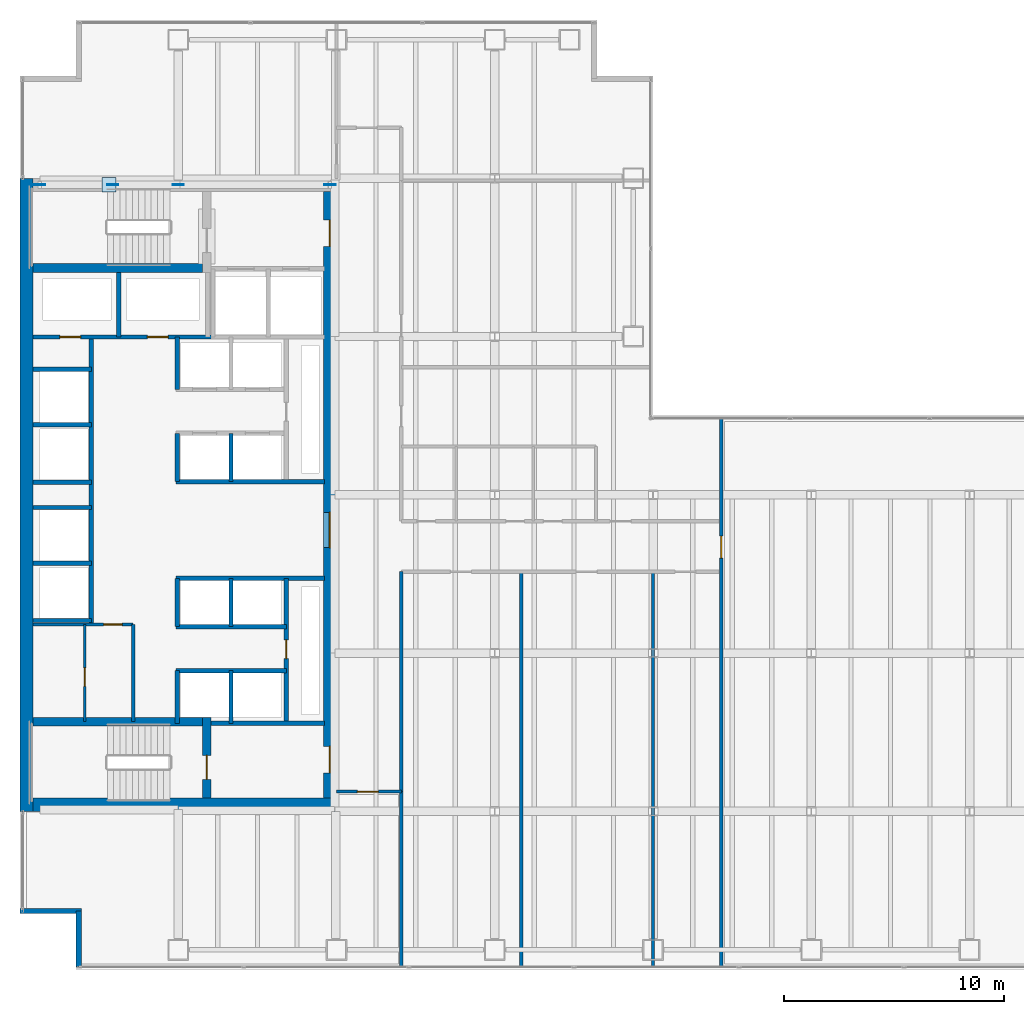
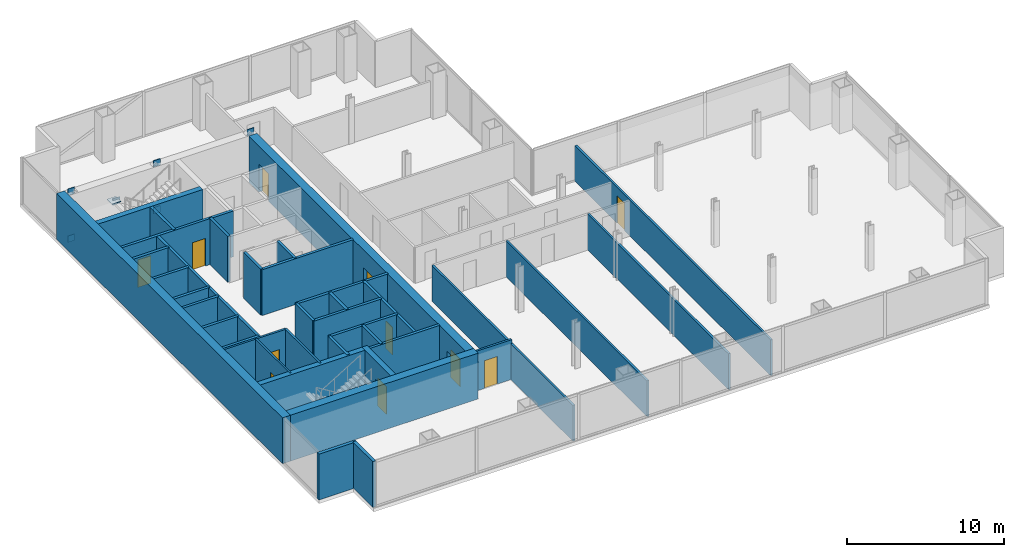
# One storey, part 20 of 24: 39 walls, 11 doors, 7 plates, 11 openings.
"""IFC4 building model written with IfcOpenShell, lengths in metres."""

from ifc_helpers import new_model, si_unit, direction, frame, frame_2d, origin, origin_2d, place, context, subcontext, project, spatial, rectangle, extrude, material, layer, layer_set, type_object, element, fill, save


model = new_model("IFC4")

# Units and contexts
model_context = context("Model", 3, precision=1e-05, world=origin(), true_north=direction((0.0, 1.0)))
body_context = subcontext(model_context, "Body", "Model", "MODEL_VIEW")
ifc_project = project(units=[si_unit("LENGTHUNIT", "METRE"), si_unit("AREAUNIT", "SQUARE_METRE"), si_unit("VOLUMEUNIT", "CUBIC_METRE"), si_unit("PLANEANGLEUNIT", "RADIAN"), si_unit("MASSUNIT", "GRAM", prefix="KILO")], contexts=[model_context])

# Site, building, storey
site_placement = place(None, origin())
site = spatial("IfcSite", under=ifc_project, at=site_placement, CompositionType="ELEMENT")
building_placement = place(site_placement, origin())
building = spatial("IfcBuilding", under=site, at=building_placement, Name="Cobrela Telecom Tower", CompositionType="ELEMENT")
storey_placement = place(building_placement, frame((0.0, 0.0, 77.35009765625)))
storey = spatial("IfcBuildingStorey", under=building, at=storey_placement, Name="L19", CompositionType="ELEMENT", Elevation=77.35009765625)

# Plates
ifc_material_1 = material(Name="Steel ASTM A572 Grade 50", Category="steel")
ifc_layer_1 = layer(ifc_material_1, 0.0419921875)
ifc_layer_set_1 = layer_set([ifc_layer_1], Name="Steel ASTM A572 Grade 50")
plate_type = type_object("IfcPlateType", Name="PLT-NODE-ND1", PredefinedType="USERDEFINED", material=ifc_layer_set_1)
for number, where, z_axis, x_axis, name in (
    (1, (0.89990234375, 35.699951171875, -0.294921875), (0.0, 0.0, 1.0), (1.0, 0.0, 0.0), "Steel node plate PLT-MBR-EXO-L19-N1-A-0"),
    (2, (7.199951171875, 35.699951171875, 3.35498046875), (0.0, 0.0, 1.0), (1.0, 0.0, 0.0), "Steel node plate PLT-MBR-EXO-L19-N1-A-1"),
    (3, (7.199951171875, 35.699951171875, -0.294921875), (0.0, 0.0, 1.0), (-1.0, 0.0, 0.0), "Steel node plate PLT-MBR-EXO-L19-N1-B1-0"),
    (4, (4.219482421875, 35.699951171875, 1.431640625), (0.0, 0.0, 1.0), (-1.0, 0.0, 0.0), "Steel node plate PLT-MBR-EXO-L19-N1-B1-1"),
    (5, (0.89990234375, 35.699951171875, 3.35498046875), (0.0, 0.0, 1.0), (-1.0, 0.0, 0.0), "Steel node plate PLT-MBR-EXO-L19-N1-B2-1"),
):
    element("IfcPlate", number, at=place(storey_placement, frame(where, z_axis=z_axis, x_axis=x_axis)), inside=storey, type_object=plate_type, Name=name, ObjectType="GUSSET PLATE", PredefinedType="USERDEFINED", context=body_context, shape_type="SweptSolid", body=[
        extrude(rectangle(XDim=0.510009765625, YDim=0.044921875, at=origin_2d()), origin(), (0.0, 0.0, 1.0), 0.510009765625),
    ])
plate_1_placement = place(storey_placement, frame((4.050048828125, 35.699951171875, 1.762451171875), z_axis=(0.0, 0.0, 1.0), x_axis=(1.0, 0.0, 0.0)))
element("IfcPlate", 6, at=plate_1_placement, inside=storey, type_object=plate_type, Name="L19 Core Flange Steel X-Brace Central X-Crossing Gusset Plate", ObjectType="GUSSET PLATE", PredefinedType="USERDEFINED", context=body_context, shape_type="SweptSolid", body=[
    extrude(rectangle(XDim=0.64990234375, YDim=0.64990234375, at=origin_2d()), origin(), (0.0, 0.0, 1.0), 0.044921875),
])
plate_2_placement = place(storey_placement, frame((14.10009765625, 35.699951171875, 3.35498046875), z_axis=(0.0, 0.0, 1.0), x_axis=(1.0, 0.0, 0.0)))
element("IfcPlate", 7, at=plate_2_placement, inside=storey, type_object=plate_type, Name="Steel node plate PLT-MBR-EXO-L19-N2-1", ObjectType="GUSSET PLATE", PredefinedType="USERDEFINED", context=body_context, shape_type="SweptSolid", body=[
    extrude(rectangle(XDim=0.510009765625, YDim=0.044921875, at=origin_2d()), origin(), (0.0, 0.0, 1.0), 0.510009765625),
])

# Walls
ifc_material_2 = material(Name="Concrete C50/60", Category="concrete")
ifc_layer_2 = layer(ifc_material_2, 0.60009765625)
ifc_layer_set_2 = layer_set([ifc_layer_2], Name="Concrete C50/60")
wall_type_1 = type_object("IfcWallType", Name="WALL-CORE-C50-600", PredefinedType="SHEAR", material=ifc_layer_set_2)
wall_1_placement = place(storey_placement, frame((0.300048828125, 7.199951171875, 0.0), z_axis=(0.0, 0.0, 1.0), x_axis=(0.0, 1.0, 0.0)))
element("IfcWall", 8, at=wall_1_placement, inside=storey, type_object=wall_type_1, Name="L19 West Core Shear Wall", PredefinedType="SHEAR", context=body_context, shape_type="SweptSolid", body=[
    extrude(rectangle(XDim=28.800048828125, YDim=0.60009765625, at=frame_2d((14.39990234375, 0.0))), origin(), (0.0, 0.0, 1.0), 3.56982421875),
])
wall_2_placement = place(storey_placement, frame((0.60009765625, 7.5, 0.0), z_axis=(0.0, 0.0, 1.0), x_axis=(1.0, 0.0, 0.0)))
element("IfcWall", 9, at=wall_2_placement, inside=storey, type_object=wall_type_1, Name="L19 South Core Shear Wall", PredefinedType="SHEAR", context=body_context, shape_type="SweptSolid", body=[
    extrude(rectangle(XDim=13.7998046875, YDim=0.60009765625, at=frame_2d((6.89990234375, 0.0))), origin(), (0.0, 0.0, 1.0), 3.56982421875),
])

# Wall, openings, doors
wall_3_placement = place(storey_placement, frame((14.10009765625, 35.39990234375, 0.0), z_axis=(0.0, 0.0, 1.0), x_axis=(0.0, -1.0, 0.0)))
wall_3 = element("IfcWall", 10, at=wall_3_placement, inside=storey, type_object=wall_type_1, Name="L19 East Core Shear Wall", PredefinedType="SHEAR", context=body_context, shape_type="SweptSolid", body=[
    extrude(rectangle(XDim=27.599853515625, YDim=0.60009765625, at=frame_2d((13.7998046875, 0.0))), origin(), (0.0, 0.0, 1.0), 3.56982421875),
])
opening_1_placement = place(wall_3_placement, frame((1.300048828125, 0.0, 0.0)))
opening_1 = element("IfcOpeningElement", 11, at=opening_1_placement, cuts=wall_3, Name="Opening DR-19", PredefinedType="OPENING", context=body_context, shape_type="SweptSolid", body=[
    extrude(rectangle(XDim=1.199951171875, YDim=2.14990234375, at=frame_2d((0.60009765625, 1.074951171875))), frame((0.0, 0.31201171875, 0.0), z_axis=(0.0, -1.0, 0.0), x_axis=(1.0, 0.0, 0.0)), (0.0, 0.0, 1.0), 0.6240234375),
])
opening_2_placement = place(wall_3_placement, frame((25.25, 0.0, 0.0)))
opening_2 = element("IfcOpeningElement", 12, at=opening_2_placement, cuts=wall_3, Name="Opening DR-19", PredefinedType="OPENING", context=body_context, shape_type="SweptSolid", body=[
    extrude(rectangle(XDim=1.199951171875, YDim=2.14990234375, at=frame_2d((0.60009765625, 1.074951171875))), frame((0.0, 0.31201171875, 0.0), z_axis=(0.0, -1.0, 0.0), x_axis=(1.0, 0.0, 0.0)), (0.0, 0.0, 1.0), 0.6240234375),
])
opening_3_placement = place(wall_3_placement, frame((14.60009765625, 0.0, 0.0)))
opening_3 = element("IfcOpeningElement", 13, at=opening_3_placement, cuts=wall_3, Name="Opening DR-51", PredefinedType="OPENING", context=body_context, shape_type="SweptSolid", body=[
    extrude(rectangle(XDim=1.60009765625, YDim=2.199951171875, at=frame_2d((0.800048828125, 1.10009765625))), frame((0.0, 0.31201171875, 0.0), z_axis=(0.0, -1.0, 0.0), x_axis=(1.0, 0.0, 0.0)), (0.0, 0.0, 1.0), 0.6240234375),
])
ifc_material_3 = material(Name="Steel ASTM A36", Category="steel")
door_type_1 = type_object("IfcDoorType", Name="DOOR-FD60-1200", OperationType="SINGLE_SWING_LEFT", PredefinedType="DOOR", material=ifc_material_3)
door_1_placement = place(opening_1_placement, origin())
door_1 = element("IfcDoor", 14, at=door_1_placement, inside=storey, type_object=door_type_1, Name="L19 Door DR-19", OperationType="SINGLE_SWING_LEFT", OverallHeight=2.14990234375, OverallWidth=1.199951171875, PredefinedType="DOOR", context=body_context, shape_type="SweptSolid", body=[
    extrude(rectangle(XDim=1.199951171875, YDim=2.14990234375, at=frame_2d((0.60009765625, 1.074951171875))), frame((0.0, 0.02490234375, 0.0), z_axis=(0.0, -1.0, 0.0), x_axis=(1.0, 0.0, 0.0)), (0.0, 0.0, 1.0), 0.050048828125),
])
fill(opening_1, door_1)
door_2_placement = place(opening_2_placement, origin())
door_2 = element("IfcDoor", 15, at=door_2_placement, inside=storey, type_object=door_type_1, Name="L19 Door DR-19", OperationType="SINGLE_SWING_RIGHT", OverallHeight=2.14990234375, OverallWidth=1.199951171875, PredefinedType="DOOR", context=body_context, shape_type="SweptSolid", body=[
    extrude(rectangle(XDim=1.199951171875, YDim=2.14990234375, at=frame_2d((0.60009765625, 1.074951171875))), frame((0.0, 0.02490234375, 0.0), z_axis=(0.0, -1.0, 0.0), x_axis=(1.0, 0.0, 0.0)), (0.0, 0.0, 1.0), 0.050048828125),
])
fill(opening_2, door_2)
door_type_2 = type_object("IfcDoorType", Name="DOOR-FD60-1600", OperationType="SINGLE_SWING_LEFT", PredefinedType="DOOR", material=ifc_material_3)
door_3_placement = place(opening_3_placement, origin())
door_3 = element("IfcDoor", 16, at=door_3_placement, inside=storey, type_object=door_type_2, Name="L19 Door DR-51", OperationType="DOUBLE_DOOR_SINGLE_SWING", OverallHeight=2.199951171875, OverallWidth=1.60009765625, PredefinedType="DOOR", context=body_context, shape_type="SweptSolid", body=[
    extrude(rectangle(XDim=1.60009765625, YDim=2.199951171875, at=frame_2d((0.800048828125, 1.10009765625))), frame((0.0, 0.02490234375, 0.0), z_axis=(0.0, -1.0, 0.0), x_axis=(1.0, 0.0, 0.0)), (0.0, 0.0, 1.0), 0.050048828125),
])
fill(opening_3, door_3)

# Walls
ifc_material_4 = material(Name="Concrete C40/50", Category="concrete")
ifc_layer_3 = layer(ifc_material_4, 0.239990234375)
ifc_layer_set_3 = layer_set([ifc_layer_3], Name="Concrete C40/50")
wall_type_2 = type_object("IfcWallType", Name="WALL-EXT-300", PredefinedType="STANDARD", material=ifc_layer_set_3)
wall_4_placement = place(storey_placement, frame((2.669921875, 0.1201171875, 0.0), z_axis=(0.0, 0.0, 1.0), x_axis=(0.0, 1.0, 0.0)))
element("IfcWall", 17, at=wall_4_placement, inside=storey, type_object=wall_type_2, Name="L19 Insulated Facade Wall 01", PredefinedType="STANDARD", context=body_context, shape_type="SweptSolid", body=[
    extrude(rectangle(XDim=2.5498046875, YDim=0.239990234375, at=frame_2d((1.27490234375, 0.0))), origin(), (0.0, 0.0, 1.0), 3.56982421875),
])
wall_5_placement = place(storey_placement, frame((2.7900390625, 2.669921875, 0.0), z_axis=(0.0, 0.0, 1.0), x_axis=(-1.0, 0.0, 0.0)))
element("IfcWall", 18, at=wall_5_placement, inside=storey, type_object=wall_type_2, Name="L19 Insulated Facade Wall 02", PredefinedType="STANDARD", context=body_context, shape_type="SweptSolid", body=[
    extrude(rectangle(XDim=2.7900390625, YDim=0.239990234375, at=frame_2d((1.39501953125, 0.0))), origin(), (0.0, 0.0, 1.0), 3.56982421875),
])

# Wall, opening, door
ifc_material_5 = material(Name="Fire-Rated Gypsum Plasterboard")
ifc_layer_4 = layer(ifc_material_5, 0.125)
ifc_layer_set_4 = layer_set([ifc_layer_4], Name="Fire-Rated Gypsum Plasterboard")
wall_type_3 = type_object("IfcWallType", Name="WALL-PART-125", PredefinedType="PARTITIONING", material=ifc_layer_set_4)
wall_6_placement = place(storey_placement, frame((2.949951171875, 11.280029296875, 0.0), z_axis=(0.0, 0.0, 1.0), x_axis=(0.0, 1.0, 0.0)))
wall_6 = element("IfcWall", 19, at=wall_6_placement, inside=storey, type_object=wall_type_3, Name="L19 Interior Partition CW-FK1-V", PredefinedType="PARTITIONING", context=body_context, shape_type="SweptSolid", body=[
    extrude(rectangle(XDim=4.419921875, YDim=0.125, at=frame_2d((2.2099609375, 0.0))), origin(), (0.0, 0.0, 1.0), 3.56982421875),
])
opening_4_placement = place(wall_6_placement, frame((1.60009765625, 0.0, 0.0)))
opening_4 = element("IfcOpeningElement", 20, at=opening_4_placement, cuts=wall_6, Name="Opening DR-11", PredefinedType="OPENING", context=body_context, shape_type="SweptSolid", body=[
    extrude(rectangle(XDim=0.85009765625, YDim=2.14990234375, at=frame_2d((0.425048828125, 1.074951171875))), frame((0.0, 0.074462890625, 0.0), z_axis=(0.0, -1.0, 0.0), x_axis=(1.0, 0.0, 0.0)), (0.0, 0.0, 1.0), 0.14892578125),
])
ifc_material_6 = material(Name="Solid Engineered Oak Timber", Category="wood")
door_type_3 = type_object("IfcDoorType", Name="DOOR-INT-850", OperationType="SINGLE_SWING_LEFT", PredefinedType="DOOR", material=ifc_material_6)
door_4_placement = place(opening_4_placement, origin())
door_4 = element("IfcDoor", 21, at=door_4_placement, inside=storey, type_object=door_type_3, Name="L19 Door DR-11", OperationType="SINGLE_SWING_RIGHT", OverallHeight=2.14990234375, OverallWidth=0.85009765625, PredefinedType="DOOR", context=body_context, shape_type="SweptSolid", body=[
    extrude(rectangle(XDim=0.85009765625, YDim=2.14990234375, at=frame_2d((0.425048828125, 1.074951171875))), frame((0.0, 0.02490234375, 0.0), z_axis=(0.0, -1.0, 0.0), x_axis=(1.0, 0.0, 0.0)), (0.0, 0.0, 1.0), 0.050048828125),
])
fill(opening_4, door_4)

ifc_layer_5 = layer(ifc_material_5, 0.14990234375)
ifc_layer_set_5 = layer_set([ifc_layer_5], Name="Fire-Rated Gypsum Plasterboard")
wall_type_4 = type_object("IfcWallType", Name="WALL-PART-150", PredefinedType="PARTITIONING", material=ifc_layer_set_5)
wall_7_placement = place(storey_placement, frame((0.60009765625, 15.699951171875, 0.0), z_axis=(0.0, 0.0, 1.0), x_axis=(1.0, 0.0, 0.0)))
wall_7 = element("IfcWall", 22, at=wall_7_placement, inside=storey, type_object=wall_type_4, Name="L19 Interior Partition CW-FLEX-N", PredefinedType="PARTITIONING", context=body_context, shape_type="SweptSolid", body=[
    extrude(rectangle(XDim=4.5498046875, YDim=0.14990234375, at=frame_2d((2.27490234375, 0.0))), origin(), (0.0, 0.0, 1.0), 3.56982421875),
])
opening_5_placement = place(wall_7_placement, frame((3.199951171875, 0.0, 0.0)))
opening_5 = element("IfcOpeningElement", 23, at=opening_5_placement, cuts=wall_7, Name="Opening DR-11", PredefinedType="OPENING", context=body_context, shape_type="SweptSolid", body=[
    extrude(rectangle(XDim=0.85009765625, YDim=2.14990234375, at=frame_2d((0.425048828125, 1.074951171875))), frame((0.0, 0.0869140625, 0.0), z_axis=(0.0, -1.0, 0.0), x_axis=(1.0, 0.0, 0.0)), (0.0, 0.0, 1.0), 0.173828125),
])
door_5_placement = place(opening_5_placement, origin())
door_5 = element("IfcDoor", 24, at=door_5_placement, inside=storey, type_object=door_type_3, Name="L19 Door DR-11", OperationType="SINGLE_SWING_LEFT", OverallHeight=2.14990234375, OverallWidth=0.85009765625, PredefinedType="DOOR", context=body_context, shape_type="SweptSolid", body=[
    extrude(rectangle(XDim=0.85009765625, YDim=2.14990234375, at=frame_2d((0.425048828125, 1.074951171875))), frame((0.0, 0.02490234375, 0.0), z_axis=(0.0, -1.0, 0.0), x_axis=(1.0, 0.0, 0.0)), (0.0, 0.0, 1.0), 0.050048828125),
])
fill(opening_5, door_5)

# Wall
wall_8_placement = place(storey_placement, frame((5.14990234375, 11.280029296875, 0.0), z_axis=(0.0, 0.0, 1.0), x_axis=(0.0, 1.0, 0.0)))
element("IfcWall", 25, at=wall_8_placement, inside=storey, type_object=wall_type_4, Name="L19 Interior Partition CW-FLEX-E", PredefinedType="PARTITIONING", context=body_context, shape_type="SweptSolid", body=[
    extrude(rectangle(XDim=4.419921875, YDim=0.14990234375, at=frame_2d((2.2099609375, 0.0))), origin(), (0.0, 0.0, 1.0), 3.56982421875),
])

# Wall, opening, door
wall_9_placement = place(storey_placement, frame((14.39990234375, 8.10009765625, 0.0), z_axis=(0.0, 0.0, 1.0), x_axis=(1.0, 0.0, 0.0)))
wall_9 = element("IfcWall", 26, at=wall_9_placement, inside=storey, type_object=wall_type_4, Name="L19 Interior Partition W-C-S0", PredefinedType="PARTITIONING", context=body_context, shape_type="SweptSolid", body=[
    extrude(rectangle(XDim=2.9501953125, YDim=0.14990234375, at=frame_2d((1.47509765625, 0.0))), origin(), (0.0, 0.0, 1.0), 3.087890625),
])
opening_6_placement = place(wall_9_placement, frame((0.949951171875, 0.0, 0.0)))
opening_6 = element("IfcOpeningElement", 27, at=opening_6_placement, cuts=wall_9, Name="Opening DR-67", PredefinedType="OPENING", context=body_context, shape_type="SweptSolid", body=[
    extrude(rectangle(XDim=0.949951171875, YDim=2.14990234375, at=frame_2d((0.47509765625, 1.074951171875))), frame((0.0, 0.0869140625, 0.0), z_axis=(0.0, -1.0, 0.0), x_axis=(1.0, 0.0, 0.0)), (0.0, 0.0, 1.0), 0.173828125),
])
door_type_4 = type_object("IfcDoorType", Name="DOOR-INT-950", OperationType="SINGLE_SWING_LEFT", PredefinedType="DOOR", material=ifc_material_6)
door_6_placement = place(opening_6_placement, origin())
door_6 = element("IfcDoor", 28, at=door_6_placement, inside=storey, type_object=door_type_4, Name="L19 Door DR-67", OperationType="SINGLE_SWING_RIGHT", OverallHeight=2.14990234375, OverallWidth=0.949951171875, PredefinedType="DOOR", context=body_context, shape_type="SweptSolid", body=[
    extrude(rectangle(XDim=0.949951171875, YDim=2.14990234375, at=frame_2d((0.47509765625, 1.074951171875))), frame((0.0, 0.02490234375, 0.0), z_axis=(0.0, -1.0, 0.0), x_axis=(1.0, 0.0, 0.0)), (0.0, 0.0, 1.0), 0.050048828125),
])
fill(opening_6, door_6)

# Wall
wall_10_placement = place(storey_placement, frame((17.35009765625, 8.10009765625, 0.0), z_axis=(0.0, 0.0, 1.0), x_axis=(0.0, 1.0, 0.0)))
element("IfcWall", 29, at=wall_10_placement, inside=storey, type_object=wall_type_4, Name="L19 Interior Partition W-C-E1", PredefinedType="PARTITIONING", context=body_context, shape_type="SweptSolid", body=[
    extrude(rectangle(XDim=10.0, YDim=0.14990234375, at=frame_2d((5.0, 0.0))), origin(), (0.0, 0.0, 1.0), 2.782958984375),
])

# Wall, opening, door
wall_11_placement = place(storey_placement, frame((31.89990234375, 0.1201171875, 0.0), z_axis=(0.0, 0.0, 1.0), x_axis=(0.0, 1.0, 0.0)))
wall_11 = element("IfcWall", 30, at=wall_11_placement, inside=storey, type_object=wall_type_4, Name="L19 Interior Partition W-C-END", PredefinedType="PARTITIONING", context=body_context, shape_type="SweptSolid", body=[
    extrude(rectangle(XDim=24.9599609375, YDim=0.14990234375, at=frame_2d((12.47998046875, 0.0))), origin(), (0.0, 0.0, 1.0), 2.782958984375),
])
opening_7_placement = place(wall_11_placement, frame((18.60009765625, 0.0, 0.0)))
opening_7 = element("IfcOpeningElement", 31, at=opening_7_placement, cuts=wall_11, Name="Opening DR-31", PredefinedType="OPENING", context=body_context, shape_type="SweptSolid", body=[
    extrude(rectangle(XDim=1.0, YDim=2.14990234375, at=frame_2d((0.5, 1.074951171875))), frame((0.0, 0.0869140625, 0.0), z_axis=(0.0, -1.0, 0.0), x_axis=(1.0, 0.0, 0.0)), (0.0, 0.0, 1.0), 0.173828125),
])
door_type_5 = type_object("IfcDoorType", Name="DOOR-INT-1000", OperationType="SINGLE_SWING_LEFT", PredefinedType="DOOR", material=ifc_material_6)
door_7_placement = place(opening_7_placement, origin())
door_7 = element("IfcDoor", 32, at=door_7_placement, inside=storey, type_object=door_type_5, Name="L19 Door DR-31", OperationType="SINGLE_SWING_LEFT", OverallHeight=2.14990234375, OverallWidth=1.0, PredefinedType="DOOR", context=body_context, shape_type="SweptSolid", body=[
    extrude(rectangle(XDim=1.0, YDim=2.14990234375, at=frame_2d((0.5, 1.074951171875))), frame((0.0, 0.02490234375, 0.0), z_axis=(0.0, -1.0, 0.0), x_axis=(1.0, 0.0, 0.0)), (0.0, 0.0, 1.0), 0.050048828125),
])
fill(opening_7, door_7)

# Walls
wall_12_placement = place(storey_placement, frame((17.35009765625, 0.1201171875, 0.0), z_axis=(0.0, 0.0, 1.0), x_axis=(0.0, 1.0, 0.0)))
element("IfcWall", 33, at=wall_12_placement, inside=storey, type_object=wall_type_4, Name="L19 Interior Partition W-SW-E", PredefinedType="PARTITIONING", context=body_context, shape_type="SweptSolid", body=[
    extrude(rectangle(XDim=7.97998046875, YDim=0.14990234375, at=frame_2d((3.989990234375, 0.0))), origin(), (0.0, 0.0, 1.0), 2.782958984375),
])
for number, where, z_axis, x_axis, name in (
    (34, (22.800048828125, 0.1201171875, 0.0), (0.0, 0.0, 1.0), (0.0, 1.0, 0.0), "L19 Interior Partition W-SV-1"),
    (35, (28.800048828125, 0.1201171875, 0.0), (0.0, 0.0, 1.0), (0.0, 1.0, 0.0), "L19 Interior Partition W-SV-2"),
):
    element("IfcWall", number, at=place(storey_placement, frame(where, z_axis=z_axis, x_axis=x_axis)), inside=storey, type_object=wall_type_4, Name=name, PredefinedType="PARTITIONING", context=body_context, shape_type="SweptSolid", body=[
        extrude(rectangle(XDim=17.97998046875, YDim=0.14990234375, at=frame_2d((8.989990234375, 0.0))), origin(), (0.0, 0.0, 1.0), 2.782958984375),
    ])
ifc_layer_6 = layer(ifc_material_5, 0.199951171875)
ifc_layer_set_6 = layer_set([ifc_layer_6], Name="Fire-Rated Gypsum Plasterboard")
wall_type_5 = type_object("IfcWallType", Name="WALL-SHAFT-200", PredefinedType="PARTITIONING", material=ifc_layer_set_6)
wall_13_placement = place(storey_placement, frame((8.699951171875, 11.199951171875, 0.0), z_axis=(0.0, 0.0, 1.0), x_axis=(1.0, 0.0, 0.0)))
element("IfcWall", 36, at=wall_13_placement, inside=storey, type_object=wall_type_5, Name="L19 Shaft Enclosure CW-ST2L-N", PredefinedType="PARTITIONING", context=body_context, shape_type="SweptSolid", body=[
    extrude(rectangle(XDim=5.150146484375, YDim=0.199951171875, at=frame_2d((2.5751953125, 0.0))), origin(), (0.0, 0.0, 1.0), 3.56982421875),
])

# Wall, openings, doors
wall_14_placement = place(storey_placement, frame((0.60009765625, 28.780029296875, 0.0), z_axis=(0.0, 0.0, 1.0), x_axis=(1.0, 0.0, 0.0)))
wall_14 = element("IfcWall", 37, at=wall_14_placement, inside=storey, type_object=wall_type_5, Name="L19 Shaft Enclosure CW-RIS-S", PredefinedType="PARTITIONING", context=body_context, shape_type="SweptSolid", body=[
    extrude(rectangle(XDim=8.179931640625, YDim=0.199951171875, at=frame_2d((4.08984375, 0.0))), origin(), (0.0, 0.0, 1.0), 3.56982421875),
])
opening_8_placement = place(wall_14_placement, frame((1.2099609375, 0.0, 0.0)))
opening_8 = element("IfcOpeningElement", 38, at=opening_8_placement, cuts=wall_14, Name="Opening DR-65", PredefinedType="OPENING", context=body_context, shape_type="SweptSolid", body=[
    extrude(rectangle(XDim=0.949951171875, YDim=2.14990234375, at=frame_2d((0.47509765625, 1.074951171875))), frame((0.0, 0.11181640625, 0.0), z_axis=(0.0, -1.0, 0.0), x_axis=(1.0, 0.0, 0.0)), (0.0, 0.0, 1.0), 0.223876953125),
])
opening_9_placement = place(wall_14_placement, frame((5.18994140625, 0.0, 0.0)))
opening_9 = element("IfcOpeningElement", 39, at=opening_9_placement, cuts=wall_14, Name="Opening DR-65", PredefinedType="OPENING", context=body_context, shape_type="SweptSolid", body=[
    extrude(rectangle(XDim=0.949951171875, YDim=2.14990234375, at=frame_2d((0.47509765625, 1.074951171875))), frame((0.0, 0.11181640625, 0.0), z_axis=(0.0, -1.0, 0.0), x_axis=(1.0, 0.0, 0.0)), (0.0, 0.0, 1.0), 0.223876953125),
])
door_type_6 = type_object("IfcDoorType", Name="DOOR-FD60-950", OperationType="SINGLE_SWING_LEFT", PredefinedType="DOOR", material=ifc_material_3)
door_8_placement = place(opening_8_placement, origin())
door_8 = element("IfcDoor", 40, at=door_8_placement, inside=storey, type_object=door_type_6, Name="L19 Door DR-65", OperationType="SINGLE_SWING_LEFT", OverallHeight=2.14990234375, OverallWidth=0.949951171875, PredefinedType="DOOR", context=body_context, shape_type="SweptSolid", body=[
    extrude(rectangle(XDim=0.949951171875, YDim=2.14990234375, at=frame_2d((0.47509765625, 1.074951171875))), frame((0.0, 0.02490234375, 0.0), z_axis=(0.0, -1.0, 0.0), x_axis=(1.0, 0.0, 0.0)), (0.0, 0.0, 1.0), 0.050048828125),
])
fill(opening_8, door_8)
door_9_placement = place(opening_9_placement, origin())
door_9 = element("IfcDoor", 41, at=door_9_placement, inside=storey, type_object=door_type_6, Name="L19 Door DR-65", OperationType="SINGLE_SWING_RIGHT", OverallHeight=2.14990234375, OverallWidth=0.949951171875, PredefinedType="DOOR", context=body_context, shape_type="SweptSolid", body=[
    extrude(rectangle(XDim=0.949951171875, YDim=2.14990234375, at=frame_2d((0.47509765625, 1.074951171875))), frame((0.0, 0.02490234375, 0.0), z_axis=(0.0, -1.0, 0.0), x_axis=(1.0, 0.0, 0.0)), (0.0, 0.0, 1.0), 0.050048828125),
])
fill(opening_9, door_9)

# Walls
wall_15_placement = place(storey_placement, frame((4.5, 28.780029296875, 0.0), z_axis=(0.0, 0.0, 1.0), x_axis=(0.0, 1.0, 0.0)))
element("IfcWall", 42, at=wall_15_placement, inside=storey, type_object=wall_type_5, Name="L19 Shaft Enclosure CW-RIS-M", PredefinedType="PARTITIONING", context=body_context, shape_type="SweptSolid", body=[
    extrude(rectangle(XDim=2.93994140625, YDim=0.199951171875, at=frame_2d((1.469970703125, 0.0))), origin(), (0.0, 0.0, 1.0), 3.56982421875),
])
wall_16_placement = place(storey_placement, frame((3.25, 15.699951171875, 0.0), z_axis=(0.0, 0.0, 1.0), x_axis=(0.0, 1.0, 0.0)))
element("IfcWall", 43, at=wall_16_placement, inside=storey, type_object=wall_type_5, Name="L19 Shaft Enclosure CW-PLH-E", PredefinedType="PARTITIONING", context=body_context, shape_type="SweptSolid", body=[
    extrude(rectangle(XDim=13.080078125, YDim=0.199951171875, at=frame_2d((6.5400390625, 0.0))), origin(), (0.0, 0.0, 1.0), 3.56982421875),
])
for number, where, z_axis, x_axis, name in (
    (44, (0.60009765625, 15.8798828125, 0.0), (0.0, 0.0, 1.0), (1.0, 0.0, 0.0), "L19 Shaft Enclosure CW-PLH-D9"),
    (45, (0.60009765625, 18.47998046875, 0.0), (0.0, 0.0, 1.0), (1.0, 0.0, 0.0), "L19 Shaft Enclosure CW-PLH-D10"),
    (46, (0.60009765625, 22.179931640625, 0.0), (0.0, 0.0, 1.0), (1.0, 0.0, 0.0), "L19 Shaft Enclosure CW-PLH-D11"),
    (47, (0.60009765625, 24.780029296875, 0.0), (0.0, 0.0, 1.0), (1.0, 0.0, 0.0), "L19 Shaft Enclosure CW-PLH-D12"),
    (48, (0.60009765625, 21.02001953125, 0.0), (0.0, 0.0, 1.0), (1.0, 0.0, 0.0), "L19 Shaft Enclosure CW-PLH-MID"),
    (49, (0.60009765625, 27.320068359375, 0.0), (0.0, 0.0, 1.0), (1.0, 0.0, 0.0), "L19 Shaft Enclosure CW-PLH-TOP"),
):
    element("IfcWall", number, at=place(storey_placement, frame(where, z_axis=z_axis, x_axis=x_axis)), inside=storey, type_object=wall_type_5, Name=name, PredefinedType="PARTITIONING", context=body_context, shape_type="SweptSolid", body=[
        extrude(rectangle(XDim=2.64990234375, YDim=0.199951171875, at=frame_2d((1.324951171875, 0.0))), origin(), (0.0, 0.0, 1.0), 3.56982421875),
    ])
wall_17_placement = place(storey_placement, frame((7.10009765625, 22.199951171875, 0.0), z_axis=(0.0, 0.0, 1.0), x_axis=(1.0, 0.0, 0.0)))
element("IfcWall", 50, at=wall_17_placement, inside=storey, type_object=wall_type_5, Name="L19 Shaft Enclosure CW-PLL-B0", PredefinedType="PARTITIONING", context=body_context, shape_type="SweptSolid", body=[
    extrude(rectangle(XDim=6.75, YDim=0.199951171875, at=frame_2d((3.375, 0.0))), origin(), (0.0, 0.0, 1.0), 3.56982421875),
])
wall_18_placement = place(storey_placement, frame((7.14990234375, 22.199951171875, 0.0), z_axis=(0.0, 0.0, 1.0), x_axis=(0.0, 1.0, 0.0)))
element("IfcWall", 51, at=wall_18_placement, inside=storey, type_object=wall_type_5, Name="L19 Shaft Enclosure CW-PLL-V1", PredefinedType="PARTITIONING", context=body_context, shape_type="SweptSolid", body=[
    extrude(rectangle(XDim=2.199951171875, YDim=0.199951171875, at=frame_2d((1.10009765625, 0.0))), origin(), (0.0, 0.0, 1.0), 3.56982421875),
])
wall_19_placement = place(storey_placement, frame((7.14990234375, 26.39990234375, 0.0), z_axis=(0.0, 0.0, 1.0), x_axis=(0.0, 1.0, 0.0)))
element("IfcWall", 52, at=wall_19_placement, inside=storey, type_object=wall_type_5, Name="L19 Shaft Enclosure CW-PLL-V1B", PredefinedType="PARTITIONING", context=body_context, shape_type="SweptSolid", body=[
    extrude(rectangle(XDim=2.380126953125, YDim=0.199951171875, at=frame_2d((1.18994140625, 0.0))), origin(), (0.0, 0.0, 1.0), 3.56982421875),
])
wall_20_placement = place(storey_placement, frame((9.60009765625, 22.199951171875, 0.0), z_axis=(0.0, 0.0, 1.0), x_axis=(0.0, 1.0, 0.0)))
element("IfcWall", 53, at=wall_20_placement, inside=storey, type_object=wall_type_5, Name="L19 Shaft Enclosure CW-PLL-V2", PredefinedType="PARTITIONING", context=body_context, shape_type="SweptSolid", body=[
    extrude(rectangle(XDim=2.199951171875, YDim=0.199951171875, at=frame_2d((1.10009765625, 0.0))), origin(), (0.0, 0.0, 1.0), 3.56982421875),
])
wall_21_placement = place(storey_placement, frame((7.10009765625, 17.800048828125, 0.0), z_axis=(0.0, 0.0, 1.0), x_axis=(1.0, 0.0, 0.0)))
element("IfcWall", 54, at=wall_21_placement, inside=storey, type_object=wall_type_5, Name="L19 Shaft Enclosure CW-PLM-T0", PredefinedType="PARTITIONING", context=body_context, shape_type="SweptSolid", body=[
    extrude(rectangle(XDim=6.75, YDim=0.199951171875, at=frame_2d((3.375, 0.0))), origin(), (0.0, 0.0, 1.0), 3.56982421875),
])
for number, where, z_axis, x_axis, name in (
    (55, (7.10009765625, 15.60009765625, 0.0), (0.0, 0.0, 1.0), (1.0, 0.0, 0.0), "L19 Shaft Enclosure CW-PLM-N"),
    (56, (7.10009765625, 13.60009765625, 0.0), (0.0, 0.0, 1.0), (1.0, 0.0, 0.0), "L19 Shaft Enclosure CW-PLM-S"),
):
    element("IfcWall", number, at=place(storey_placement, frame(where, z_axis=z_axis, x_axis=x_axis)), inside=storey, type_object=wall_type_5, Name=name, PredefinedType="PARTITIONING", context=body_context, shape_type="SweptSolid", body=[
        extrude(rectangle(XDim=5.02001953125, YDim=0.199951171875, at=frame_2d((2.510009765625, 0.0))), origin(), (0.0, 0.0, 1.0), 3.56982421875),
    ])
wall_22_placement = place(storey_placement, frame((7.14990234375, 15.60009765625, 0.0), z_axis=(0.0, 0.0, 1.0), x_axis=(0.0, 1.0, 0.0)))
element("IfcWall", 57, at=wall_22_placement, inside=storey, type_object=wall_type_5, Name="L19 Shaft Enclosure CW-PLM-V1", PredefinedType="PARTITIONING", context=body_context, shape_type="SweptSolid", body=[
    extrude(rectangle(XDim=2.199951171875, YDim=0.199951171875, at=frame_2d((1.10009765625, 0.0))), origin(), (0.0, 0.0, 1.0), 3.56982421875),
])
wall_23_placement = place(storey_placement, frame((7.14990234375, 11.199951171875, 0.0), z_axis=(0.0, 0.0, 1.0), x_axis=(0.0, 1.0, 0.0)))
element("IfcWall", 58, at=wall_23_placement, inside=storey, type_object=wall_type_5, Name="L19 Shaft Enclosure CW-PLM-V1B", PredefinedType="PARTITIONING", context=body_context, shape_type="SweptSolid", body=[
    extrude(rectangle(XDim=2.400146484375, YDim=0.199951171875, at=frame_2d((1.2001953125, 0.0))), origin(), (0.0, 0.0, 1.0), 3.56982421875),
])
wall_24_placement = place(storey_placement, frame((9.60009765625, 15.60009765625, 0.0), z_axis=(0.0, 0.0, 1.0), x_axis=(0.0, 1.0, 0.0)))
element("IfcWall", 59, at=wall_24_placement, inside=storey, type_object=wall_type_5, Name="L19 Shaft Enclosure CW-PLM-V2", PredefinedType="PARTITIONING", context=body_context, shape_type="SweptSolid", body=[
    extrude(rectangle(XDim=2.199951171875, YDim=0.199951171875, at=frame_2d((1.10009765625, 0.0))), origin(), (0.0, 0.0, 1.0), 3.56982421875),
])
wall_25_placement = place(storey_placement, frame((9.60009765625, 11.199951171875, 0.0), z_axis=(0.0, 0.0, 1.0), x_axis=(0.0, 1.0, 0.0)))
element("IfcWall", 60, at=wall_25_placement, inside=storey, type_object=wall_type_5, Name="L19 Shaft Enclosure CW-PLM-V2B", PredefinedType="PARTITIONING", context=body_context, shape_type="SweptSolid", body=[
    extrude(rectangle(XDim=2.400146484375, YDim=0.199951171875, at=frame_2d((1.2001953125, 0.0))), origin(), (0.0, 0.0, 1.0), 3.56982421875),
])

# Wall, opening, door
wall_26_placement = place(storey_placement, frame((12.1201171875, 11.199951171875, 0.0), z_axis=(0.0, 0.0, 1.0), x_axis=(0.0, 1.0, 0.0)))
wall_26 = element("IfcWall", 61, at=wall_26_placement, inside=storey, type_object=wall_type_5, Name="L19 Shaft Enclosure CW-PLM-V3", PredefinedType="PARTITIONING", context=body_context, shape_type="SweptSolid", body=[
    extrude(rectangle(XDim=6.60009765625, YDim=0.199951171875, at=frame_2d((3.300048828125, 0.0))), origin(), (0.0, 0.0, 1.0), 3.56982421875),
])
opening_10_placement = place(wall_26_placement, frame((2.949951171875, 0.0, 0.0)))
opening_10 = element("IfcOpeningElement", 62, at=opening_10_placement, cuts=wall_26, Name="Opening DR-11", PredefinedType="OPENING", context=body_context, shape_type="SweptSolid", body=[
    extrude(rectangle(XDim=0.85009765625, YDim=2.14990234375, at=frame_2d((0.425048828125, 1.074951171875))), frame((0.0, 0.11181640625, 0.0), z_axis=(0.0, -1.0, 0.0), x_axis=(1.0, 0.0, 0.0)), (0.0, 0.0, 1.0), 0.223876953125),
])
door_10_placement = place(opening_10_placement, origin())
door_10 = element("IfcDoor", 63, at=door_10_placement, inside=storey, type_object=door_type_3, Name="L19 Door DR-11", OperationType="SINGLE_SWING_RIGHT", OverallHeight=2.14990234375, OverallWidth=0.85009765625, PredefinedType="DOOR", context=body_context, shape_type="SweptSolid", body=[
    extrude(rectangle(XDim=0.85009765625, YDim=2.14990234375, at=frame_2d((0.425048828125, 1.074951171875))), frame((0.0, 0.02490234375, 0.0), z_axis=(0.0, -1.0, 0.0), x_axis=(1.0, 0.0, 0.0)), (0.0, 0.0, 1.0), 0.050048828125),
])
fill(opening_10, door_10)

# Walls
ifc_layer_7 = layer(ifc_material_4, 0.39990234375)
ifc_layer_set_7 = layer_set([ifc_layer_7], Name="Concrete C40/50")
wall_type_6 = type_object("IfcWallType", Name="WALL-SHAFT-C40-400", PredefinedType="SHEAR", material=ifc_layer_set_7)
for number, where, z_axis, x_axis, name in (
    (64, (0.60009765625, 31.919921875, 0.0), (0.0, 0.0, 1.0), (1.0, 0.0, 0.0), "L19 North Stair Shear Wall"),
    (65, (0.60009765625, 11.280029296875, 0.0), (0.0, 0.0, 1.0), (1.0, 0.0, 0.0), "L19 South Stair Shear Wall"),
):
    element("IfcWall", number, at=place(storey_placement, frame(where, z_axis=z_axis, x_axis=x_axis)), inside=storey, type_object=wall_type_6, Name=name, PredefinedType="SHEAR", context=body_context, shape_type="SweptSolid", body=[
        extrude(rectangle(XDim=7.699951171875, YDim=0.39990234375, at=frame_2d((3.85009765625, 0.0))), origin(), (0.0, 0.0, 1.0), 3.56982421875),
    ])

# Wall, opening, door
wall_27_placement = place(storey_placement, frame((8.5, 7.800048828125, 0.0), z_axis=(0.0, 0.0, 1.0), x_axis=(0.0, 1.0, 0.0)))
wall_27 = element("IfcWall", 66, at=wall_27_placement, inside=storey, type_object=wall_type_6, Name="L19 South Stair Lobby Shear Wall", PredefinedType="SHEAR", context=body_context, shape_type="SweptSolid", body=[
    extrude(rectangle(XDim=3.679931640625, YDim=0.39990234375, at=frame_2d((1.83984375, 0.0))), origin(), (0.0, 0.0, 1.0), 3.56982421875),
])
opening_11_placement = place(wall_27_placement, frame((0.85009765625, 0.0, 0.0)))
opening_11 = element("IfcOpeningElement", 67, at=opening_11_placement, cuts=wall_27, Name="Opening FD-90", PredefinedType="OPENING", context=body_context, shape_type="SweptSolid", body=[
    extrude(rectangle(XDim=1.10009765625, YDim=2.14990234375, at=frame_2d((0.550048828125, 1.074951171875))), frame((0.0, 0.2119140625, 0.0), z_axis=(0.0, -1.0, 0.0), x_axis=(1.0, 0.0, 0.0)), (0.0, 0.0, 1.0), 0.423828125),
])
door_type_7 = type_object("IfcDoorType", Name="DOOR-FD90-1100", OperationType="SINGLE_SWING_LEFT", PredefinedType="DOOR", material=ifc_material_3)
door_11_placement = place(opening_11_placement, origin())
door_11 = element("IfcDoor", 68, at=door_11_placement, inside=storey, type_object=door_type_7, Name="L19 Door FD-90", OperationType="SINGLE_SWING_LEFT", OverallHeight=2.14990234375, OverallWidth=1.10009765625, PredefinedType="DOOR", context=body_context, shape_type="SweptSolid", body=[
    extrude(rectangle(XDim=1.10009765625, YDim=2.14990234375, at=frame_2d((0.550048828125, 1.074951171875))), frame((0.0, 0.02490234375, 0.0), z_axis=(0.0, -1.0, 0.0), x_axis=(1.0, 0.0, 0.0)), (0.0, 0.0, 1.0), 0.050048828125),
])
fill(opening_11, door_11)

save(model, "model.ifc")
